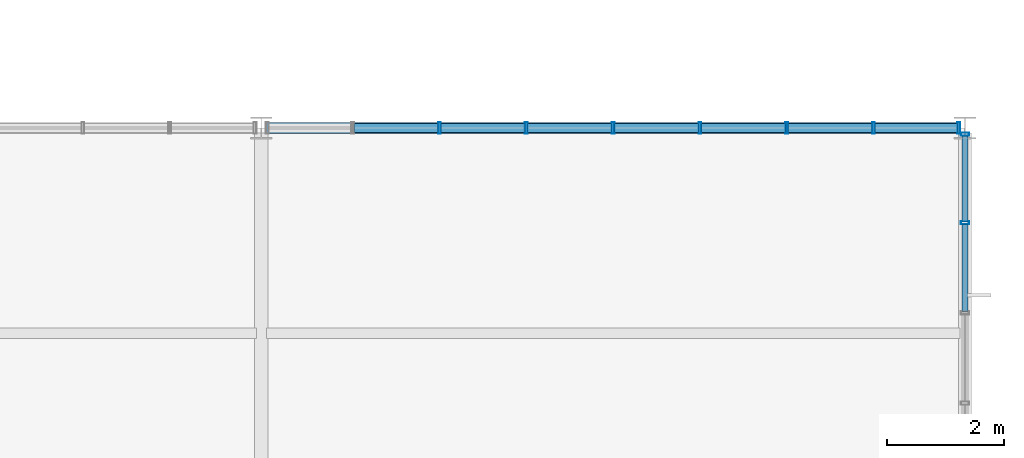
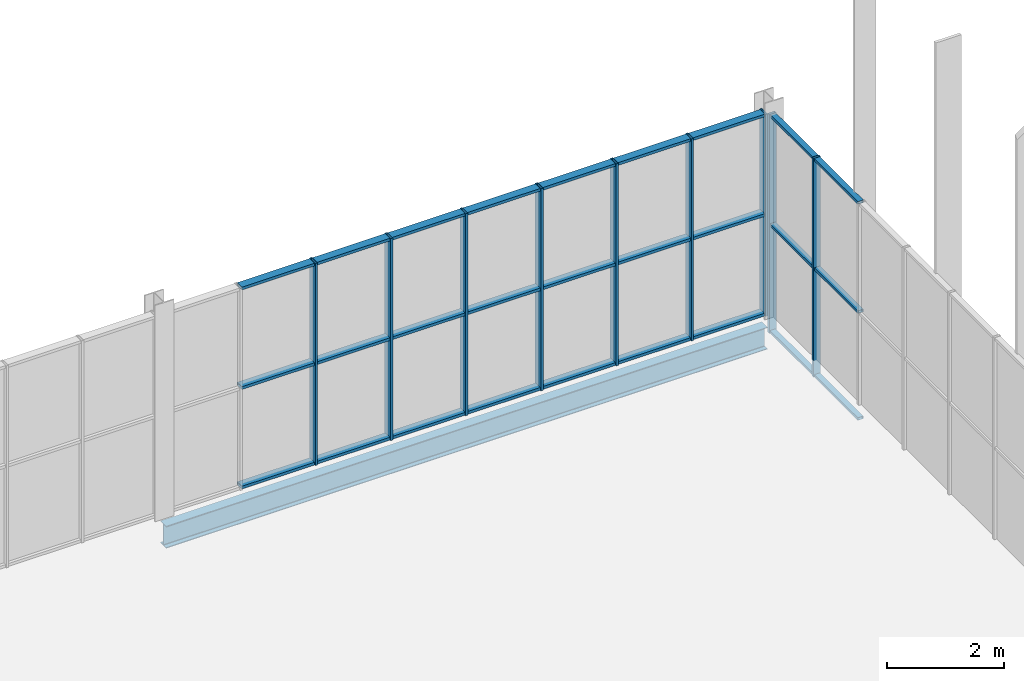
# One storey, part 228 of 324: 36 members, 1 beam, 2 elements without a shape of their own.
"""IFC4 building model written with IfcOpenShell, lengths in metres."""

import ifcopenshell
import ifcopenshell.guid

model = None  # the IFC model being written
_history = None  # IfcOwnerHistory: only IFC2X3 demands one
_inside = {}  # id of a spatial element -> (the spatial element, [elements in it])
_under = {}  # id of a project, library or spatial element -> (it, [spatial elements below it])
_declared = {}  # id of a project -> (the project, [libraries it declares])
_typed = {}  # id of a type object -> (the type object, [elements of that type])
_made_of = {}  # id of a material, layer set ... -> (it, [elements and type objects made of it])


def new_model(schema):
    """Start an empty IFC model of exactly this schema.

    Asked for "IFC4X3", IfcOpenShell would pick the latest addendum, in which some entities
    have other attributes; the version numbers below select the first issue.
    IFC2X3 requires an IfcOwnerHistory on every rooted entity: one is made here for all.
    """
    global model, _history
    if schema == "IFC4X3":
        model = ifcopenshell.file(schema_version=(4, 3, 0, 0))
    else:
        model = ifcopenshell.file(schema=schema)
    _inside.clear()
    _under.clear()
    _declared.clear()
    _typed.clear()
    _made_of.clear()
    _history = None
    if model.schema == "IFC2X3":
        org = make("IfcOrganization", Name="unknown")
        user = make(
            "IfcPersonAndOrganization",
            ThePerson=make("IfcPerson", FamilyName="unknown"),
            TheOrganization=org,
        )
        app = make(
            "IfcApplication",
            ApplicationDeveloper=org,
            Version="unknown",
            ApplicationFullName="unknown",
            ApplicationIdentifier="unknown",
        )
        _history = make(
            "IfcOwnerHistory",
            OwningUser=user,
            OwningApplication=app,
            ChangeAction="ADDED",
            CreationDate=0,
        )
    return model


def make(cls, **values):
    """One entity of the class cls with the attributes given. An attribute that is None is left unset."""
    return model.create_entity(
        cls, **{name: value for name, value in values.items() if value is not None}
    )


def rooted(cls, **values):
    """An entity with a GlobalId (a new one), such as an element, a storey or a relation."""
    return make(cls, GlobalId=ifcopenshell.guid.new(), OwnerHistory=_history, **values)


def si_unit(unit_type, name, prefix=None):
    """IfcSIUnit, for example si_unit("LENGTHUNIT", "METRE", prefix="MILLI")."""
    return make("IfcSIUnit", UnitType=unit_type, Prefix=prefix, Name=name)


def assignment(units):
    """IfcUnitAssignment: the units of a project."""
    return None if units is None else make("IfcUnitAssignment", Units=units)


def point(xyz):
    """IfcCartesianPoint."""
    return None if xyz is None else make("IfcCartesianPoint", Coordinates=xyz)


def direction(xyz):
    """IfcDirection."""
    return None if xyz is None else make("IfcDirection", DirectionRatios=xyz)


def frame(location, z_axis=None, x_axis=None):
    """IfcAxis2Placement3D, a coordinate frame: its origin and axes. An axis left out is left unset."""
    return make(
        "IfcAxis2Placement3D",
        Location=point(location),
        Axis=direction(z_axis),
        RefDirection=direction(x_axis),
    )


def frame_2d(location, x_axis=None):
    """IfcAxis2Placement2D, a coordinate frame in the plane: its origin and x axis."""
    return make(
        "IfcAxis2Placement2D", Location=point(location), RefDirection=direction(x_axis)
    )


def origin():
    """The frame at (0, 0, 0) with its axes left unset."""
    return frame((0.0, 0.0, 0.0))


def origin_2d():
    """The frame at (0, 0) in the plane with its x axis left unset."""
    return frame_2d((0.0, 0.0))


def place(relative_to, where):
    """IfcLocalPlacement: puts the frame where relative to a parent placement (None: the world)."""
    return make(
        "IfcLocalPlacement", PlacementRelTo=relative_to, RelativePlacement=where
    )


def context(
    kind, dimensions, precision=None, world=None, true_north=None, identifier=None
):
    """IfcGeometricRepresentationContext, for example the 3D "Model" context."""
    return make(
        "IfcGeometricRepresentationContext",
        ContextIdentifier=identifier,
        ContextType=kind,
        CoordinateSpaceDimension=dimensions,
        Precision=precision,
        WorldCoordinateSystem=world,
        TrueNorth=true_north,
    )


def subcontext(parent, identifier, kind, view, scale=None):
    """IfcGeometricRepresentationSubContext, for example "Body" below "Model"."""
    return make(
        "IfcGeometricRepresentationSubContext",
        ContextIdentifier=identifier,
        ContextType=kind,
        ParentContext=parent,
        TargetScale=scale,
        TargetView=view,
    )


def project(units=None, contexts=None):
    """IfcProject with its units and contexts."""
    return rooted(
        "IfcProject",
        Name="project",
        RepresentationContexts=contexts,
        UnitsInContext=assignment(units),
    )


def spatial(cls, under=None, at=None, **own):
    """A site, building, storey or space (cls), placed at a placement, below another one or the project."""
    s = rooted(cls, ObjectPlacement=at, **own)
    if under is not None:
        _under.setdefault(under.id(), (under, []))[1].append(s)
    return s


def profile(cls, at=None, kind="AREA", **sizes):
    """A parametric profile (cls). Its sizes go by their IFC names, for example OverallWidth=200.0."""
    return make(cls, ProfileType=kind, Position=at, **sizes)


def hollow_rectangle(**sizes):
    """IfcRectangleHollowProfileDef."""
    return profile("IfcRectangleHollowProfileDef", **sizes)


def i_section(**sizes):
    """IfcIShapeProfileDef."""
    return profile("IfcIShapeProfileDef", **sizes)


def extrude(swept, where, along, depth):
    """IfcExtrudedAreaSolid: the profile swept, set in the frame where, extruded along a direction by depth."""
    return make(
        "IfcExtrudedAreaSolid",
        SweptArea=swept,
        Position=where,
        ExtrudedDirection=direction(along),
        Depth=depth,
    )


def shape(context_of_items, identifier, shape_type, items):
    """IfcShapeRepresentation: the items that make up one representation, for example the "Body"."""
    return make(
        "IfcShapeRepresentation",
        ContextOfItems=context_of_items,
        RepresentationIdentifier=identifier,
        RepresentationType=shape_type,
        Items=items,
    )


def material(Name=None, Category=None):
    """IfcMaterial."""
    return make("IfcMaterial", Name=Name, Category=Category)


def layer(
    of_material, thickness, ventilated=None, Name=None, Category=None, Priority=None
):
    """IfcMaterialLayer: one layer of a wall or slab, of a material (None: an air gap)."""
    return make(
        "IfcMaterialLayer",
        Material=of_material,
        LayerThickness=thickness,
        IsVentilated=ventilated,
        Name=Name,
        Category=Category,
        Priority=Priority,
    )


def layer_set(layers, Name=None):
    """IfcMaterialLayerSet."""
    return make("IfcMaterialLayerSet", MaterialLayers=layers, LayerSetName=Name)


def material_profile(
    of_material, cross_section, Name=None, Category=None, Priority=None
):
    """IfcMaterialProfile: a cross section and its material."""
    return make(
        "IfcMaterialProfile",
        Name=Name,
        Material=of_material,
        Profile=cross_section,
        Priority=Priority,
        Category=Category,
    )


def profile_set(profiles, Name=None, composite=None):
    """IfcMaterialProfileSet."""
    return make(
        "IfcMaterialProfileSet",
        Name=Name,
        MaterialProfiles=profiles,
        CompositeProfile=composite,
    )


def made_of(thing, what):
    """Note that an element or type object is made of a material, layer set ...; save() writes the relation."""
    if what is not None:
        _made_of.setdefault(what.id(), (what, []))[1].append(thing)
    return thing


def type_object(cls, material=None, **own):
    """A type object (cls), such as IfcWallType, which elements share."""
    return made_of(rooted(cls, **own), material)


def element(
    cls,
    number,
    at=None,
    inside=None,
    cuts=None,
    type_object=None,
    material=None,
    context=None,
    identifier="Body",
    shape_type=None,
    held_by="IfcProductDefinitionShape",
    body=None,
    shapes=None,
    **own,
):
    """One element of the class cls, such as IfcWall. Its Tag is "e" and its number.

    at: its placement. inside: the storey or other place that contains it. cuts: it is an
    opening in that element (IfcRelVoidsElement). A single representation is given by context,
    identifier, shape_type and body (its items); several are given by shapes. held_by: the class
    of the entity that holds the representations. save() writes the other relations.
    """
    e = rooted(cls, Tag="e%d" % number, ObjectPlacement=at, **own)
    if body is not None:
        shapes = [shape(context, identifier, shape_type, body)]
    if shapes is not None:
        e.Representation = make(held_by, Representations=shapes)
    if inside is not None:
        _inside.setdefault(inside.id(), (inside, []))[1].append(e)
    if cuts is not None:
        rooted(
            "IfcRelVoidsElement", RelatingBuildingElement=cuts, RelatedOpeningElement=e
        )
    if type_object is not None:
        _typed.setdefault(type_object.id(), (type_object, []))[1].append(e)
    return made_of(e, material)


def aggregate(whole, parts):
    """IfcRelAggregates: a whole, such as a stair, and the parts it consists of."""
    return rooted("IfcRelAggregates", RelatingObject=whole, RelatedObjects=parts)


def save(model, path):
    """Write the relations noted so far, then the file.

    IfcRelAggregates (storeys below a building ...), IfcRelContainedInSpatialStructure (elements
    in a storey), IfcRelDefinesByType, IfcRelAssociatesMaterial and IfcRelDeclares: one each for
    every whole, place, type object, material and project.
    """
    for whole, parts in _under.values():
        aggregate(whole, parts)
    for where, things in _inside.values():
        rooted(
            "IfcRelContainedInSpatialStructure",
            RelatedElements=things,
            RelatingStructure=where,
        )
    for kind, things in _typed.values():
        rooted("IfcRelDefinesByType", RelatedObjects=things, RelatingType=kind)
    for what, things in _made_of.values():
        rooted("IfcRelAssociatesMaterial", RelatedObjects=things, RelatingMaterial=what)
    for by, libraries in _declared.values():
        rooted("IfcRelDeclares", RelatingContext=by, RelatedDefinitions=libraries)
    model.write(path)


model = new_model("IFC4")

# Units and contexts
model_context = context("Model", 3, precision=1e-05, world=origin(), true_north=direction((0.0, 1.0)))
body_context = subcontext(model_context, "Body", "Model", "MODEL_VIEW")
ifc_project = project(units=[si_unit("LENGTHUNIT", "METRE"), si_unit("AREAUNIT", "SQUARE_METRE"), si_unit("VOLUMEUNIT", "CUBIC_METRE"), si_unit("PLANEANGLEUNIT", "RADIAN"), si_unit("MASSUNIT", "GRAM", prefix="KILO")], contexts=[model_context])

# Site, building, storey
site_placement = place(None, origin())
site = spatial("IfcSite", under=ifc_project, at=site_placement, CompositionType="ELEMENT")
building_placement = place(site_placement, origin())
building = spatial("IfcBuilding", under=site, at=building_placement, Name="Solvenia Promenade Tram Depot", CompositionType="ELEMENT")
storey_placement = place(building_placement, frame((0.0, 0.0, 4.5)))
storey = spatial("IfcBuildingStorey", under=building, at=storey_placement, Name="L01", CompositionType="ELEMENT", Elevation=4.5)

# Curtain wall, members
ifc_material_1 = material(Name="Anodized aluminium AW-6063 T6", Category="aluminium")
ifc_layer = layer(ifc_material_1, 0.080078125, Name="Anodized aluminium AW-6063 T6", Category="aluminium")
ifc_layer_set = layer_set([ifc_layer], Name="Anodized aluminium AW-6063 T6")
curtain_wall_type = type_object("IfcCurtainWallType", Name="CW-Clerest-1500", PredefinedType="NOTDEFINED", material=ifc_layer_set)
curtain_wall_1_placement = place(storey_placement, origin())
curtain_wall_1 = element("IfcCurtainWall", 1, at=curtain_wall_1_placement, inside=storey, type_object=curtain_wall_type, Name="Curtain Wall CW-V2N-L1-174", PredefinedType="NOTDEFINED")
ifc_material_profile_1 = material_profile(ifc_material_1, hollow_rectangle(XDim=0.199951171875, YDim=0.048095703125, WallThickness=0.00390625, at=origin_2d()), Name="ALU-M3", Category="aluminium")
ifc_profile_set_1 = profile_set([ifc_material_profile_1], Name="Anodized aluminium AW-6063 T6")
member_type_1 = type_object("IfcMemberType", Name="CWM-Mullion-3", PredefinedType="MULLION", material=ifc_profile_set_1)
member_1_placement = place(storey_placement, frame((177.0400390625, 66.0, 0.0), z_axis=(0.0, 0.0, 1.0), x_axis=(0.0, 1.0, 0.0)))
member_1 = element("IfcMember", 2, at=member_1_placement, type_object=member_type_1, Name="CW-4 mullion 3", PredefinedType="MULLION", context=body_context, shape_type="SweptSolid", body=[
    extrude(hollow_rectangle(XDim=0.199951171875, YDim=0.048095703125, WallThickness=0.00390625, at=origin_2d()), origin(), (0.0, 0.0, 1.0), 4.199951171875),
])
member_2_placement = place(storey_placement, frame((178.52001953125, 66.0, 0.0), z_axis=(0.0, 0.0, 1.0), x_axis=(0.0, 1.0, 0.0)))
member_2 = element("IfcMember", 3, at=member_2_placement, type_object=member_type_1, Name="CW-4 mullion 4", PredefinedType="MULLION", context=body_context, shape_type="SweptSolid", body=[
    extrude(hollow_rectangle(XDim=0.199951171875, YDim=0.048095703125, WallThickness=0.00390625, at=origin_2d()), origin(), (0.0, 0.0, 1.0), 4.199951171875),
])
member_3_placement = place(storey_placement, frame((180.0, 66.0, 0.0), z_axis=(0.0, 0.0, 1.0), x_axis=(0.0, 1.0, 0.0)))
member_3 = element("IfcMember", 4, at=member_3_placement, type_object=member_type_1, Name="CW-4 mullion 5", PredefinedType="MULLION", context=body_context, shape_type="SweptSolid", body=[
    extrude(hollow_rectangle(XDim=0.199951171875, YDim=0.048095703125, WallThickness=0.00390625, at=origin_2d()), origin(), (0.0, 0.0, 1.0), 4.199951171875),
])
member_4_placement = place(storey_placement, frame((181.47998046875, 66.0, 0.0), z_axis=(0.0, 0.0, 1.0), x_axis=(0.0, 1.0, 0.0)))
member_4 = element("IfcMember", 5, at=member_4_placement, type_object=member_type_1, Name="CW-4 mullion 6", PredefinedType="MULLION", context=body_context, shape_type="SweptSolid", body=[
    extrude(hollow_rectangle(XDim=0.199951171875, YDim=0.048095703125, WallThickness=0.00390625, at=origin_2d()), origin(), (0.0, 0.0, 1.0), 4.199951171875),
])
member_5_placement = place(storey_placement, frame((182.9599609375, 66.0, 0.0), z_axis=(0.0, 0.0, 1.0), x_axis=(0.0, 1.0, 0.0)))
member_5 = element("IfcMember", 6, at=member_5_placement, type_object=member_type_1, Name="CW-4 mullion 7", PredefinedType="MULLION", context=body_context, shape_type="SweptSolid", body=[
    extrude(hollow_rectangle(XDim=0.199951171875, YDim=0.048095703125, WallThickness=0.00390625, at=origin_2d()), origin(), (0.0, 0.0, 1.0), 4.199951171875),
])
member_6_placement = place(storey_placement, frame((184.43994140625, 66.0, 0.0), z_axis=(0.0, 0.0, 1.0), x_axis=(0.0, 1.0, 0.0)))
member_6 = element("IfcMember", 7, at=member_6_placement, type_object=member_type_1, Name="CW-4 mullion 8", PredefinedType="MULLION", context=body_context, shape_type="SweptSolid", body=[
    extrude(hollow_rectangle(XDim=0.199951171875, YDim=0.048095703125, WallThickness=0.00390625, at=origin_2d()), origin(), (0.0, 0.0, 1.0), 4.199951171875),
])
member_7_placement = place(storey_placement, frame((185.89599609375, 66.0, 0.0), z_axis=(0.0, 0.0, 1.0), x_axis=(0.0, 1.0, 0.0)))
member_7 = element("IfcMember", 8, at=member_7_placement, type_object=member_type_1, Name="CW-4 mullion 9", PredefinedType="MULLION", context=body_context, shape_type="SweptSolid", body=[
    extrude(hollow_rectangle(XDim=0.199951171875, YDim=0.048095703125, WallThickness=0.00390625, at=origin_2d()), origin(), (0.0, 0.0, 1.0), 4.199951171875),
])

curtain_wall_2_placement = place(storey_placement, origin())
curtain_wall_2 = element("IfcCurtainWall", 9, at=curtain_wall_2_placement, inside=storey, type_object=curtain_wall_type, Name="Curtain Wall CW-V2E-L1-3", PredefinedType="NOTDEFINED")
ifc_material_profile_2 = material_profile(ifc_material_1, hollow_rectangle(XDim=0.139892578125, YDim=0.054931640625, WallThickness=0.00390625, at=origin_2d()), Name="ALU-M4", Category="aluminium")
ifc_profile_set_2 = profile_set([ifc_material_profile_2], Name="Anodized aluminium AW-6063 T6")
member_type_2 = type_object("IfcMemberType", Name="CWM-Mullion-4", PredefinedType="MULLION", material=ifc_profile_set_2)
member_8_placement = place(storey_placement, frame((186.0, 64.38232421875, -0.35009765625), z_axis=(0.0, 0.0, 1.0), x_axis=(-1.0, 0.0, 0.0)))
member_8 = element("IfcMember", 10, at=member_8_placement, type_object=member_type_2, Name="CW-4 mullion 9", PredefinedType="MULLION", context=body_context, shape_type="SweptSolid", body=[
    extrude(hollow_rectangle(XDim=0.139892578125, YDim=0.054931640625, WallThickness=0.00390625, at=origin_2d()), origin(), (0.0, 0.0, 1.0), 4.550048828125),
])
member_9_placement = place(storey_placement, frame((186.0, 65.892578125, -0.35009765625), z_axis=(0.0, 0.0, 1.0), x_axis=(-1.0, 0.0, 0.0)))
member_9 = element("IfcMember", 11, at=member_9_placement, type_object=member_type_2, Name="CW-4 mullion 10", PredefinedType="MULLION", context=body_context, shape_type="SweptSolid", body=[
    extrude(hollow_rectangle(XDim=0.139892578125, YDim=0.054931640625, WallThickness=0.00390625, at=origin_2d()), origin(), (0.0, 0.0, 1.0), 4.550048828125),
])

# Member
ifc_material_profile_3 = material_profile(ifc_material_1, hollow_rectangle(XDim=0.159912109375, YDim=0.05810546875, WallThickness=0.00390625, at=origin_2d()), Name="ALU-T3", Category="aluminium")
ifc_profile_set_3 = profile_set([ifc_material_profile_3], Name="Anodized aluminium AW-6063 T6")
member_type_3 = type_object("IfcMemberType", Name="CWT-Transom-3", PredefinedType="USERDEFINED", material=ifc_profile_set_3)
member_10_placement = place(storey_placement, frame((175.583984375, 66.0, 0.029052734375), z_axis=(1.0, 0.0, 0.0), x_axis=(0.0, 1.0, 0.0)))
member_10 = element("IfcMember", 12, at=member_10_placement, type_object=member_type_3, Name="CW-4 transom 2.1", ObjectType="TRANSOM", PredefinedType="USERDEFINED", context=body_context, shape_type="SweptSolid", body=[
    extrude(hollow_rectangle(XDim=0.159912109375, YDim=0.05810546875, WallThickness=0.00390625, at=origin_2d()), origin(), (0.0, 0.0, 1.0), 1.43212890625),
])

member_11_placement = place(storey_placement, frame((175.583984375, 66.0, 2.10009765625), z_axis=(1.0, 0.0, 0.0), x_axis=(0.0, 1.0, 0.0)))
member_11 = element("IfcMember", 13, at=member_11_placement, type_object=member_type_3, Name="CW-4 transom 2.2", ObjectType="TRANSOM", PredefinedType="USERDEFINED", context=body_context, shape_type="SweptSolid", body=[
    extrude(hollow_rectangle(XDim=0.159912109375, YDim=0.05810546875, WallThickness=0.00390625, at=origin_2d()), origin(), (0.0, 0.0, 1.0), 1.43212890625),
])

member_12_placement = place(storey_placement, frame((175.583984375, 66.0, 4.1708984375), z_axis=(1.0, 0.0, 0.0), x_axis=(0.0, 1.0, 0.0)))
member_12 = element("IfcMember", 14, at=member_12_placement, type_object=member_type_3, Name="CW-4 transom 2.3", ObjectType="TRANSOM", PredefinedType="USERDEFINED", context=body_context, shape_type="SweptSolid", body=[
    extrude(hollow_rectangle(XDim=0.159912109375, YDim=0.05810546875, WallThickness=0.00390625, at=origin_2d()), origin(), (0.0, 0.0, 1.0), 1.43212890625),
])

member_13_placement = place(storey_placement, frame((177.06396484375, 66.0, 0.029052734375), z_axis=(1.0, 0.0, 0.0), x_axis=(0.0, 1.0, 0.0)))
member_13 = element("IfcMember", 15, at=member_13_placement, type_object=member_type_3, Name="CW-4 transom 3.1", ObjectType="TRANSOM", PredefinedType="USERDEFINED", context=body_context, shape_type="SweptSolid", body=[
    extrude(hollow_rectangle(XDim=0.159912109375, YDim=0.05810546875, WallThickness=0.00390625, at=origin_2d()), origin(), (0.0, 0.0, 1.0), 1.43212890625),
])

member_14_placement = place(storey_placement, frame((177.06396484375, 66.0, 2.10009765625), z_axis=(1.0, 0.0, 0.0), x_axis=(0.0, 1.0, 0.0)))
member_14 = element("IfcMember", 16, at=member_14_placement, type_object=member_type_3, Name="CW-4 transom 3.2", ObjectType="TRANSOM", PredefinedType="USERDEFINED", context=body_context, shape_type="SweptSolid", body=[
    extrude(hollow_rectangle(XDim=0.159912109375, YDim=0.05810546875, WallThickness=0.00390625, at=origin_2d()), origin(), (0.0, 0.0, 1.0), 1.43212890625),
])

member_15_placement = place(storey_placement, frame((177.06396484375, 66.0, 4.1708984375), z_axis=(1.0, 0.0, 0.0), x_axis=(0.0, 1.0, 0.0)))
member_15 = element("IfcMember", 17, at=member_15_placement, type_object=member_type_3, Name="CW-4 transom 3.3", ObjectType="TRANSOM", PredefinedType="USERDEFINED", context=body_context, shape_type="SweptSolid", body=[
    extrude(hollow_rectangle(XDim=0.159912109375, YDim=0.05810546875, WallThickness=0.00390625, at=origin_2d()), origin(), (0.0, 0.0, 1.0), 1.43212890625),
])

member_16_placement = place(storey_placement, frame((178.5439453125, 66.0, 0.029052734375), z_axis=(1.0, 0.0, 0.0), x_axis=(0.0, 1.0, 0.0)))
member_16 = element("IfcMember", 18, at=member_16_placement, type_object=member_type_3, Name="CW-4 transom 4.1", ObjectType="TRANSOM", PredefinedType="USERDEFINED", context=body_context, shape_type="SweptSolid", body=[
    extrude(hollow_rectangle(XDim=0.159912109375, YDim=0.05810546875, WallThickness=0.00390625, at=origin_2d()), origin(), (0.0, 0.0, 1.0), 1.43212890625),
])

member_17_placement = place(storey_placement, frame((178.5439453125, 66.0, 2.10009765625), z_axis=(1.0, 0.0, 0.0), x_axis=(0.0, 1.0, 0.0)))
member_17 = element("IfcMember", 19, at=member_17_placement, type_object=member_type_3, Name="CW-4 transom 4.2", ObjectType="TRANSOM", PredefinedType="USERDEFINED", context=body_context, shape_type="SweptSolid", body=[
    extrude(hollow_rectangle(XDim=0.159912109375, YDim=0.05810546875, WallThickness=0.00390625, at=origin_2d()), origin(), (0.0, 0.0, 1.0), 1.43212890625),
])

member_18_placement = place(storey_placement, frame((178.5439453125, 66.0, 4.1708984375), z_axis=(1.0, 0.0, 0.0), x_axis=(0.0, 1.0, 0.0)))
member_18 = element("IfcMember", 20, at=member_18_placement, type_object=member_type_3, Name="CW-4 transom 4.3", ObjectType="TRANSOM", PredefinedType="USERDEFINED", context=body_context, shape_type="SweptSolid", body=[
    extrude(hollow_rectangle(XDim=0.159912109375, YDim=0.05810546875, WallThickness=0.00390625, at=origin_2d()), origin(), (0.0, 0.0, 1.0), 1.43212890625),
])

member_19_placement = place(storey_placement, frame((180.02392578125, 66.0, 0.029052734375), z_axis=(1.0, 0.0, 0.0), x_axis=(0.0, 1.0, 0.0)))
member_19 = element("IfcMember", 21, at=member_19_placement, type_object=member_type_3, Name="CW-4 transom 5.1", ObjectType="TRANSOM", PredefinedType="USERDEFINED", context=body_context, shape_type="SweptSolid", body=[
    extrude(hollow_rectangle(XDim=0.159912109375, YDim=0.05810546875, WallThickness=0.00390625, at=origin_2d()), origin(), (0.0, 0.0, 1.0), 1.43212890625),
])

member_20_placement = place(storey_placement, frame((180.02392578125, 66.0, 2.10009765625), z_axis=(1.0, 0.0, 0.0), x_axis=(0.0, 1.0, 0.0)))
member_20 = element("IfcMember", 22, at=member_20_placement, type_object=member_type_3, Name="CW-4 transom 5.2", ObjectType="TRANSOM", PredefinedType="USERDEFINED", context=body_context, shape_type="SweptSolid", body=[
    extrude(hollow_rectangle(XDim=0.159912109375, YDim=0.05810546875, WallThickness=0.00390625, at=origin_2d()), origin(), (0.0, 0.0, 1.0), 1.43212890625),
])

member_21_placement = place(storey_placement, frame((180.02392578125, 66.0, 4.1708984375), z_axis=(1.0, 0.0, 0.0), x_axis=(0.0, 1.0, 0.0)))
member_21 = element("IfcMember", 23, at=member_21_placement, type_object=member_type_3, Name="CW-4 transom 5.3", ObjectType="TRANSOM", PredefinedType="USERDEFINED", context=body_context, shape_type="SweptSolid", body=[
    extrude(hollow_rectangle(XDim=0.159912109375, YDim=0.05810546875, WallThickness=0.00390625, at=origin_2d()), origin(), (0.0, 0.0, 1.0), 1.43212890625),
])

member_22_placement = place(storey_placement, frame((181.50390625, 66.0, 0.029052734375), z_axis=(1.0, 0.0, 0.0), x_axis=(0.0, 1.0, 0.0)))
member_22 = element("IfcMember", 24, at=member_22_placement, type_object=member_type_3, Name="CW-4 transom 6.1", ObjectType="TRANSOM", PredefinedType="USERDEFINED", context=body_context, shape_type="SweptSolid", body=[
    extrude(hollow_rectangle(XDim=0.159912109375, YDim=0.05810546875, WallThickness=0.00390625, at=origin_2d()), origin(), (0.0, 0.0, 1.0), 1.43212890625),
])

member_23_placement = place(storey_placement, frame((181.50390625, 66.0, 2.10009765625), z_axis=(1.0, 0.0, 0.0), x_axis=(0.0, 1.0, 0.0)))
member_23 = element("IfcMember", 25, at=member_23_placement, type_object=member_type_3, Name="CW-4 transom 6.2", ObjectType="TRANSOM", PredefinedType="USERDEFINED", context=body_context, shape_type="SweptSolid", body=[
    extrude(hollow_rectangle(XDim=0.159912109375, YDim=0.05810546875, WallThickness=0.00390625, at=origin_2d()), origin(), (0.0, 0.0, 1.0), 1.43212890625),
])

member_24_placement = place(storey_placement, frame((181.50390625, 66.0, 4.1708984375), z_axis=(1.0, 0.0, 0.0), x_axis=(0.0, 1.0, 0.0)))
member_24 = element("IfcMember", 26, at=member_24_placement, type_object=member_type_3, Name="CW-4 transom 6.3", ObjectType="TRANSOM", PredefinedType="USERDEFINED", context=body_context, shape_type="SweptSolid", body=[
    extrude(hollow_rectangle(XDim=0.159912109375, YDim=0.05810546875, WallThickness=0.00390625, at=origin_2d()), origin(), (0.0, 0.0, 1.0), 1.43212890625),
])

member_25_placement = place(storey_placement, frame((182.98388671875, 66.0, 0.029052734375), z_axis=(1.0, 0.0, 0.0), x_axis=(0.0, 1.0, 0.0)))
member_25 = element("IfcMember", 27, at=member_25_placement, type_object=member_type_3, Name="CW-4 transom 7.1", ObjectType="TRANSOM", PredefinedType="USERDEFINED", context=body_context, shape_type="SweptSolid", body=[
    extrude(hollow_rectangle(XDim=0.159912109375, YDim=0.05810546875, WallThickness=0.00390625, at=origin_2d()), origin(), (0.0, 0.0, 1.0), 1.43212890625),
])

member_26_placement = place(storey_placement, frame((182.98388671875, 66.0, 2.10009765625), z_axis=(1.0, 0.0, 0.0), x_axis=(0.0, 1.0, 0.0)))
member_26 = element("IfcMember", 28, at=member_26_placement, type_object=member_type_3, Name="CW-4 transom 7.2", ObjectType="TRANSOM", PredefinedType="USERDEFINED", context=body_context, shape_type="SweptSolid", body=[
    extrude(hollow_rectangle(XDim=0.159912109375, YDim=0.05810546875, WallThickness=0.00390625, at=origin_2d()), origin(), (0.0, 0.0, 1.0), 1.43212890625),
])

member_27_placement = place(storey_placement, frame((182.98388671875, 66.0, 4.1708984375), z_axis=(1.0, 0.0, 0.0), x_axis=(0.0, 1.0, 0.0)))
member_27 = element("IfcMember", 29, at=member_27_placement, type_object=member_type_3, Name="CW-4 transom 7.3", ObjectType="TRANSOM", PredefinedType="USERDEFINED", context=body_context, shape_type="SweptSolid", body=[
    extrude(hollow_rectangle(XDim=0.159912109375, YDim=0.05810546875, WallThickness=0.00390625, at=origin_2d()), origin(), (0.0, 0.0, 1.0), 1.43212890625),
])

member_28_placement = place(storey_placement, frame((184.464111328125, 66.0, 0.029052734375), z_axis=(1.0, 0.0, 0.0), x_axis=(0.0, 1.0, 0.0)))
member_28 = element("IfcMember", 30, at=member_28_placement, type_object=member_type_3, Name="CW-4 transom 8.1", ObjectType="TRANSOM", PredefinedType="USERDEFINED", context=body_context, shape_type="SweptSolid", body=[
    extrude(hollow_rectangle(XDim=0.159912109375, YDim=0.05810546875, WallThickness=0.00390625, at=origin_2d()), origin(), (0.0, 0.0, 1.0), 1.407958984375),
])

member_29_placement = place(storey_placement, frame((184.464111328125, 66.0, 2.10009765625), z_axis=(1.0, 0.0, 0.0), x_axis=(0.0, 1.0, 0.0)))
member_29 = element("IfcMember", 31, at=member_29_placement, type_object=member_type_3, Name="CW-4 transom 8.2", ObjectType="TRANSOM", PredefinedType="USERDEFINED", context=body_context, shape_type="SweptSolid", body=[
    extrude(hollow_rectangle(XDim=0.159912109375, YDim=0.05810546875, WallThickness=0.00390625, at=origin_2d()), origin(), (0.0, 0.0, 1.0), 1.407958984375),
])

member_30_placement = place(storey_placement, frame((184.464111328125, 66.0, 4.1708984375), z_axis=(1.0, 0.0, 0.0), x_axis=(0.0, 1.0, 0.0)))
member_30 = element("IfcMember", 32, at=member_30_placement, type_object=member_type_3, Name="CW-4 transom 8.3", ObjectType="TRANSOM", PredefinedType="USERDEFINED", context=body_context, shape_type="SweptSolid", body=[
    extrude(hollow_rectangle(XDim=0.159912109375, YDim=0.05810546875, WallThickness=0.00390625, at=origin_2d()), origin(), (0.0, 0.0, 1.0), 1.407958984375),
])

aggregate(curtain_wall_1, [member_1, member_2, member_3, member_4, member_5, member_6, member_7, member_10, member_11, member_12, member_13, member_14, member_15, member_16, member_17, member_18, member_19, member_20, member_21, member_22, member_23, member_24, member_25, member_26, member_27, member_28, member_29, member_30])

ifc_material_profile_4 = material_profile(ifc_material_1, hollow_rectangle(XDim=0.110107421875, YDim=0.054931640625, WallThickness=0.00390625, at=origin_2d()), Name="ALU-T4", Category="aluminium")
ifc_profile_set_4 = profile_set([ifc_material_profile_4], Name="Anodized aluminium AW-6063 T6")
member_type_4 = type_object("IfcMemberType", Name="CWT-Transom-4", PredefinedType="USERDEFINED", material=ifc_profile_set_4)
member_31_placement = place(storey_placement, frame((186.0, 62.871826171875, -0.322509765625), z_axis=(0.0, 1.0, 0.0), x_axis=(-1.0, 0.0, 0.0)))
member_31 = element("IfcMember", 33, at=member_31_placement, type_object=member_type_4, Name="CW-4 transom 8.1", ObjectType="TRANSOM", PredefinedType="USERDEFINED", context=body_context, shape_type="SweptSolid", body=[
    extrude(hollow_rectangle(XDim=0.110107421875, YDim=0.054931640625, WallThickness=0.00390625, at=origin_2d()), origin(), (0.0, 0.0, 1.0), 1.48291015625),
])

member_32_placement = place(storey_placement, frame((186.0, 62.871826171875, 1.89990234375), z_axis=(0.0, 1.0, 0.0), x_axis=(-1.0, 0.0, 0.0)))
member_32 = element("IfcMember", 34, at=member_32_placement, type_object=member_type_4, Name="CW-4 transom 8.2", ObjectType="TRANSOM", PredefinedType="USERDEFINED", context=body_context, shape_type="SweptSolid", body=[
    extrude(hollow_rectangle(XDim=0.110107421875, YDim=0.054931640625, WallThickness=0.00390625, at=origin_2d()), origin(), (0.0, 0.0, 1.0), 1.48291015625),
])

member_33_placement = place(storey_placement, frame((186.0, 62.871826171875, 4.172607421875), z_axis=(0.0, 1.0, 0.0), x_axis=(-1.0, 0.0, 0.0)))
member_33 = element("IfcMember", 35, at=member_33_placement, type_object=member_type_4, Name="CW-4 transom 8.3", ObjectType="TRANSOM", PredefinedType="USERDEFINED", context=body_context, shape_type="SweptSolid", body=[
    extrude(hollow_rectangle(XDim=0.110107421875, YDim=0.054931640625, WallThickness=0.00390625, at=origin_2d()), origin(), (0.0, 0.0, 1.0), 1.48291015625),
])

member_34_placement = place(storey_placement, frame((186.0, 64.40966796875, -0.322509765625), z_axis=(0.0, 1.0, 0.0), x_axis=(-1.0, 0.0, 0.0)))
member_34 = element("IfcMember", 36, at=member_34_placement, type_object=member_type_4, Name="CW-4 transom 9.1", ObjectType="TRANSOM", PredefinedType="USERDEFINED", context=body_context, shape_type="SweptSolid", body=[
    extrude(hollow_rectangle(XDim=0.110107421875, YDim=0.054931640625, WallThickness=0.00390625, at=origin_2d()), origin(), (0.0, 0.0, 1.0), 1.455322265625),
])

member_35_placement = place(storey_placement, frame((186.0, 64.40966796875, 1.89990234375), z_axis=(0.0, 1.0, 0.0), x_axis=(-1.0, 0.0, 0.0)))
member_35 = element("IfcMember", 37, at=member_35_placement, type_object=member_type_4, Name="CW-4 transom 9.2", ObjectType="TRANSOM", PredefinedType="USERDEFINED", context=body_context, shape_type="SweptSolid", body=[
    extrude(hollow_rectangle(XDim=0.110107421875, YDim=0.054931640625, WallThickness=0.00390625, at=origin_2d()), origin(), (0.0, 0.0, 1.0), 1.455322265625),
])

member_36_placement = place(storey_placement, frame((186.0, 64.40966796875, 4.172607421875), z_axis=(0.0, 1.0, 0.0), x_axis=(-1.0, 0.0, 0.0)))
member_36 = element("IfcMember", 38, at=member_36_placement, type_object=member_type_4, Name="CW-4 transom 9.3", ObjectType="TRANSOM", PredefinedType="USERDEFINED", context=body_context, shape_type="SweptSolid", body=[
    extrude(hollow_rectangle(XDim=0.110107421875, YDim=0.054931640625, WallThickness=0.00390625, at=origin_2d()), origin(), (0.0, 0.0, 1.0), 1.455322265625),
])

aggregate(curtain_wall_2, [member_8, member_9, member_31, member_32, member_33, member_34, member_35, member_36])

# Beam
ifc_material_2 = material(Name="Structural steel ASTM A992 Gr. 50", Category="steel")
ifc_material_profile_5 = material_profile(ifc_material_2, i_section(OverallWidth=0.19091796875, OverallDepth=0.4599609375, WebThickness=0.010009765625, FlangeThickness=0.01611328125, FilletRadius=0.012939453125, at=origin_2d()), Name="W460x82", Category="steel")
ifc_profile_set_5 = profile_set([ifc_material_profile_5], Name="Structural steel ASTM A992 Gr. 50")
beam_type = type_object("IfcBeamType", Name="Spandrel-W460x82", PredefinedType="SPANDREL", material=ifc_profile_set_5)
beam_placement = place(storey_placement, frame((174.0849609375, 66.0, -0.469970703125), z_axis=(1.0, 0.0, 0.0), x_axis=(0.0, 1.0, 0.0)))
element("IfcBeam", 39, at=beam_placement, inside=storey, type_object=beam_type, Name="Perimeter Spandrel BM-L01-0140", PredefinedType="SPANDREL", context=body_context, shape_type="SweptSolid", body=[
    extrude(i_section(OverallWidth=0.19091796875, OverallDepth=0.4599609375, WebThickness=0.010009765625, FlangeThickness=0.01611328125, FilletRadius=0.012939453125, at=origin_2d()), origin(), (0.0, 0.0, 1.0), 11.830078125),
])

save(model, "model.ifc")
